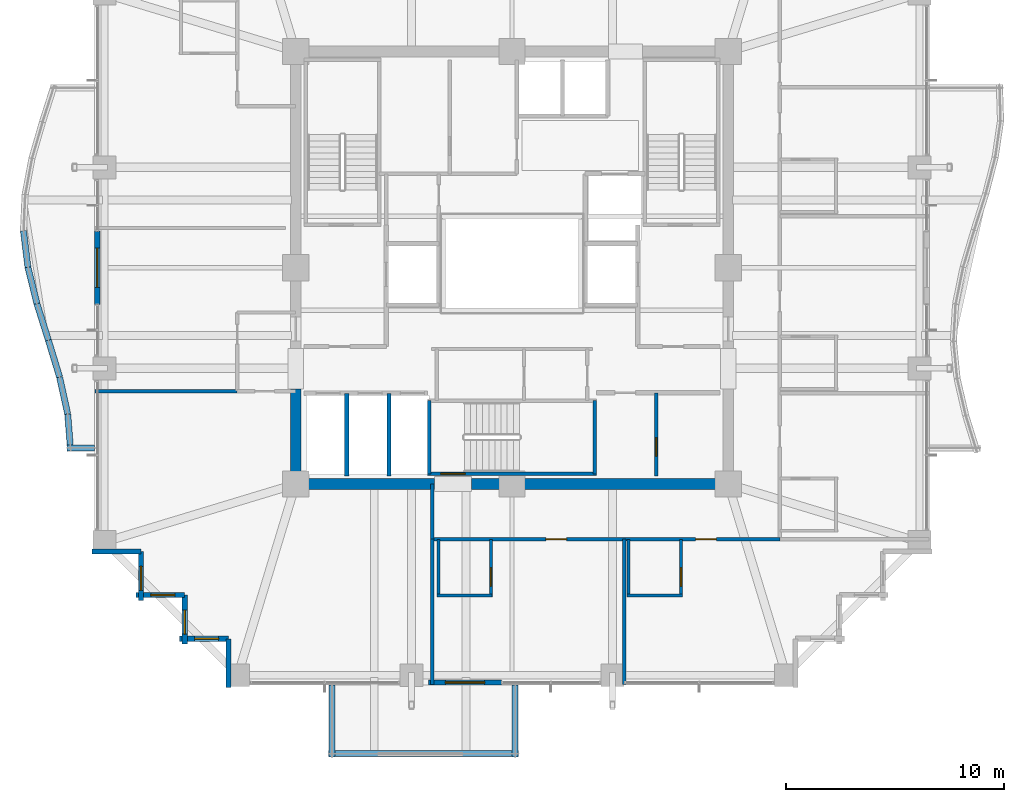
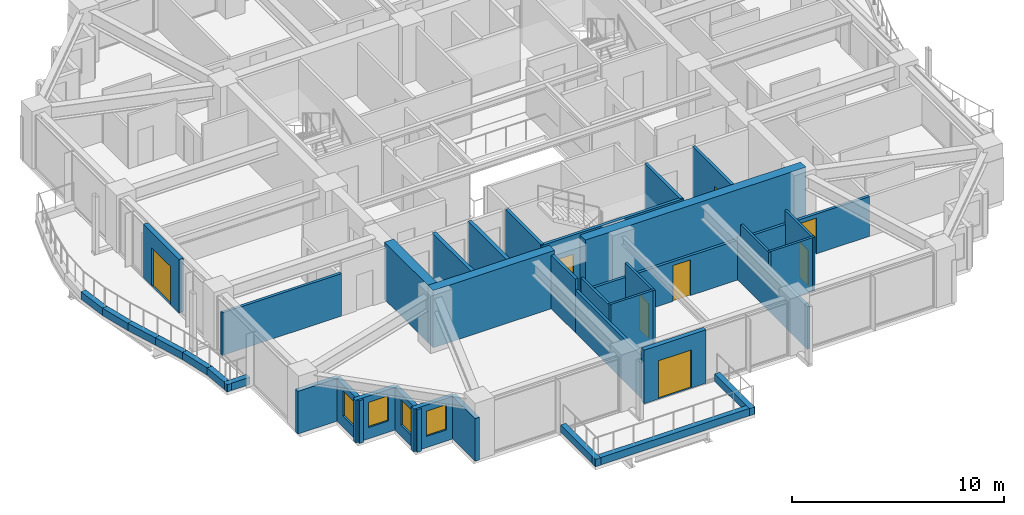
# One storey, part 31 of 38: 38 walls, 8 doors, 4 windows, 12 openings.
"""IFC4 building model written with IfcOpenShell, lengths in metres."""

from ifc_helpers import new_model, si_unit, direction, frame, frame_2d, origin, place, context, subcontext, project, spatial, rectangle, extrude, material, layer, layer_set, type_object, element, fill, save


model = new_model("IFC4")

# Units and contexts
model_context = context("Model", 3, precision=1e-05, world=origin(), true_north=direction((0.0, 1.0)))
body_context = subcontext(model_context, "Body", "Model", "MODEL_VIEW")
ifc_project = project(units=[si_unit("LENGTHUNIT", "METRE"), si_unit("AREAUNIT", "SQUARE_METRE"), si_unit("VOLUMEUNIT", "CUBIC_METRE"), si_unit("PLANEANGLEUNIT", "RADIAN"), si_unit("MASSUNIT", "GRAM", prefix="KILO")], contexts=[model_context])

# Site, building, storey
site_placement = place(None, origin())
site = spatial("IfcSite", under=ifc_project, at=site_placement, CompositionType="ELEMENT")
building_placement = place(site_placement, origin())
building = spatial("IfcBuilding", under=site, at=building_placement, Name="Kolvaren Belvedere", CompositionType="ELEMENT")
storey_placement = place(building_placement, frame((0.0, 0.0, 121.699951171875)))
storey = spatial("IfcBuildingStorey", under=building, at=storey_placement, Name="L35", CompositionType="ELEMENT", Elevation=121.699951171875)

# Walls
ifc_material_1 = material(Name="Concrete C50/60", Category="concrete")
ifc_layer_1 = layer(ifc_material_1, 0.5)
ifc_layer_set_1 = layer_set([ifc_layer_1], Name="Concrete C50/60")
wall_type_1 = type_object("IfcWallType", Name="CW-CORE-500", PredefinedType="SHEAR", material=ifc_layer_set_1)
wall_1_placement = place(storey_placement, frame((10.14990234375, -9.89990234375, 0.0), z_axis=(0.0, 0.0, 1.0), x_axis=(-1.0, 0.0, 0.0)))
element("IfcWall", 1, at=wall_1_placement, inside=storey, type_object=wall_type_1, Name="L35 South Core Shear Wall 1", PredefinedType="SHEAR", context=body_context, shape_type="SweptSolid", body=[
    extrude(rectangle(XDim=12.010009765625, YDim=0.5, at=frame_2d((6.0048828125, 0.0))), origin(), (0.0, 0.0, 1.0), 3.300048828125),
])
wall_2_placement = place(storey_placement, frame((-3.5400390625, -9.89990234375, 0.0), z_axis=(0.0, 0.0, 1.0), x_axis=(-1.0, 0.0, 0.0)))
element("IfcWall", 2, at=wall_2_placement, inside=storey, type_object=wall_type_1, Name="L35 South Core Shear Wall 2", PredefinedType="SHEAR", context=body_context, shape_type="SweptSolid", body=[
    extrude(rectangle(XDim=6.60986328125, YDim=0.5, at=frame_2d((3.304931640625, 0.0))), origin(), (0.0, 0.0, 1.0), 3.300048828125),
])
wall_3_placement = place(storey_placement, frame((-9.89990234375, -9.64990234375, 0.0), z_axis=(0.0, 0.0, 1.0), x_axis=(0.0, 1.0, 0.0)))
element("IfcWall", 3, at=wall_3_placement, inside=storey, type_object=wall_type_1, Name="L35 West Core Shear Wall 1", PredefinedType="SHEAR", context=body_context, shape_type="SweptSolid", body=[
    extrude(rectangle(XDim=4.099853515625, YDim=0.5, at=frame_2d((2.0498046875, 0.0))), origin(), (0.0, 0.0, 1.0), 3.300048828125),
])

# Wall, opening, door
ifc_material_2 = material(Name="Concrete C50/60", Category="concrete")
ifc_layer_2 = layer(ifc_material_2, 0.159912109375)
ifc_layer_set_2 = layer_set([ifc_layer_2], Name="Concrete C50/60")
wall_type_2 = type_object("IfcWallType", Name="CW-STAIR-160", PredefinedType="SHEAR", material=ifc_layer_set_2)
wall_4_placement = place(storey_placement, frame((3.860107421875, -9.429931640625, 0.0), z_axis=(0.0, 0.0, 1.0), x_axis=(-1.0, 0.0, 0.0)))
wall_4 = element("IfcWall", 4, at=wall_4_placement, inside=storey, type_object=wall_type_2, Name="L35 Stair ST-3 South Shear Wall", PredefinedType="SHEAR", context=body_context, shape_type="SweptSolid", body=[
    extrude(rectangle(XDim=7.72021484375, YDim=0.159912109375, at=frame_2d((3.860107421875, 0.0))), origin(), (0.0, 0.0, 1.0), 3.300048828125),
])
opening_1_placement = place(wall_4_placement, frame((6.010009765625, 0.0, 0.0)))
opening_1 = element("IfcOpeningElement", 5, at=opening_1_placement, cuts=wall_4, Name="Opening D-FD90", PredefinedType="OPENING", context=body_context, shape_type="SweptSolid", body=[
    extrude(rectangle(XDim=1.10009765625, YDim=2.199951171875, at=frame_2d((0.550048828125, 1.10009765625))), frame((0.0, 0.08984375, 0.0), z_axis=(0.0, -1.0, 0.0), x_axis=(1.0, 0.0, 0.0)), (0.0, 0.0, 1.0), 0.179931640625),
])
ifc_material_3 = material(Name="Painted hollow stainless steel", Category="steel")
door_type_1 = type_object("IfcDoorType", Name="DR-FD90-1100", OperationType="NOTDEFINED", PredefinedType="DOOR", material=ifc_material_3)
door_1_placement = place(opening_1_placement, origin())
door_1 = element("IfcDoor", 6, at=door_1_placement, inside=storey, type_object=door_type_1, Name="L35 Stair ST-3 Exit Door", OperationType="SINGLE_SWING_RIGHT", OverallHeight=2.199951171875, OverallWidth=1.10009765625, PredefinedType="DOOR", context=body_context, shape_type="SweptSolid", body=[
    extrude(rectangle(XDim=1.10009765625, YDim=2.199951171875, at=frame_2d((0.550048828125, 1.10009765625))), frame((0.0, 0.02490234375, 0.0), z_axis=(0.0, -1.0, 0.0), x_axis=(1.0, 0.0, 0.0)), (0.0, 0.0, 1.0), 0.050048828125),
])
fill(opening_1, door_1)

# Walls
for number, where, z_axis, x_axis, name in (
    (7, (-3.780029296875, -9.429931640625, 0.0), (0.0, 0.0, 1.0), (0.0, 1.0, 0.0), "L35 Stair ST-3 West Shear Wall"),
    (8, (3.780029296875, -9.429931640625, 0.0), (0.0, 0.0, 1.0), (0.0, 1.0, 0.0), "L35 Stair ST-3 East Shear Wall"),
):
    element("IfcWall", number, at=place(storey_placement, frame(where, z_axis=z_axis, x_axis=x_axis)), inside=storey, type_object=wall_type_2, Name=name, PredefinedType="SHEAR", context=body_context, shape_type="SweptSolid", body=[
        extrude(rectangle(XDim=3.349853515625, YDim=0.159912109375, at=frame_2d((1.6748046875, 0.0))), origin(), (0.0, 0.0, 1.0), 3.300048828125),
    ])

# Wall, openings, doors
ifc_material_4 = material(Name="Gypsum fire-rated partition assembly", Category="gypsum")
ifc_layer_3 = layer(ifc_material_4, 0.14990234375)
ifc_layer_set_3 = layer_set([ifc_layer_3], Name="Gypsum fire-rated partition assembly")
wall_type_3 = type_object("IfcWallType", Name="WL-CORR-150", PredefinedType="PARTITIONING", material=ifc_layer_set_3)
wall_5_placement = place(storey_placement, frame((-3.64990234375, -12.419921875, 0.0), z_axis=(0.0, 0.0, 1.0), x_axis=(1.0, 0.0, 0.0)))
wall_5 = element("IfcWall", 9, at=wall_5_placement, inside=storey, type_object=wall_type_3, Name="L35 South-East Corridor Wall", PredefinedType="PARTITIONING", context=body_context, shape_type="SweptSolid", body=[
    extrude(rectangle(XDim=15.909912109375, YDim=0.14990234375, at=frame_2d((7.955078125, 0.0))), origin(), (0.0, 0.0, 1.0), 2.2919921875),
])
opening_2_placement = place(wall_5_placement, frame((5.205078125, 0.0, 0.0)))
opening_2 = element("IfcOpeningElement", 10, at=opening_2_placement, cuts=wall_5, Name="Opening D-FD60", PredefinedType="OPENING", context=body_context, shape_type="SweptSolid", body=[
    extrude(rectangle(XDim=0.949951171875, YDim=2.06005859375, at=frame_2d((0.47509765625, 1.030029296875))), frame((0.0, 0.0849609375, 0.0), z_axis=(0.0, -1.0, 0.0), x_axis=(1.0, 0.0, 0.0)), (0.0, 0.0, 1.0), 0.169921875),
])
opening_3_placement = place(wall_5_placement, frame((12.052490234375, 0.0, 0.0)))
opening_3 = element("IfcOpeningElement", 11, at=opening_3_placement, cuts=wall_5, Name="Opening D-FD60", PredefinedType="OPENING", context=body_context, shape_type="SweptSolid", body=[
    extrude(rectangle(XDim=0.949951171875, YDim=2.06005859375, at=frame_2d((0.47509765625, 1.030029296875))), frame((0.0, 0.0849609375, 0.0), z_axis=(0.0, -1.0, 0.0), x_axis=(1.0, 0.0, 0.0)), (0.0, 0.0, 1.0), 0.169921875),
])
ifc_material_5 = material(Name="Acoustic white-oak fire door leaf", Category="timber")
door_type_2 = type_object("IfcDoorType", Name="DR-FD60-950", OperationType="NOTDEFINED", PredefinedType="DOOR", material=ifc_material_5)
door_2_placement = place(opening_2_placement, origin())
door_2 = element("IfcDoor", 12, at=door_2_placement, inside=storey, type_object=door_type_2, Name="L35 King Guest Room 3512 Entry Door", OperationType="SINGLE_SWING_RIGHT", OverallHeight=2.06005859375, OverallWidth=0.949951171875, PredefinedType="DOOR", context=body_context, shape_type="SweptSolid", body=[
    extrude(rectangle(XDim=0.949951171875, YDim=2.06005859375, at=frame_2d((0.47509765625, 1.030029296875))), frame((0.0, 0.02490234375, 0.0), z_axis=(0.0, -1.0, 0.0), x_axis=(1.0, 0.0, 0.0)), (0.0, 0.0, 1.0), 0.050048828125),
])
fill(opening_2, door_2)
door_3_placement = place(opening_3_placement, origin())
door_3 = element("IfcDoor", 13, at=door_3_placement, inside=storey, type_object=door_type_2, Name="L35 Botanical Hospitality Suite 3513 Entry Door", OperationType="SINGLE_SWING_RIGHT", OverallHeight=2.06005859375, OverallWidth=0.949951171875, PredefinedType="DOOR", context=body_context, shape_type="SweptSolid", body=[
    extrude(rectangle(XDim=0.949951171875, YDim=2.06005859375, at=frame_2d((0.47509765625, 1.030029296875))), frame((0.0, 0.02490234375, 0.0), z_axis=(0.0, -1.0, 0.0), x_axis=(1.0, 0.0, 0.0)), (0.0, 0.0, 1.0), 0.050048828125),
])
fill(opening_3, door_3)

# Wall
wall_6_placement = place(storey_placement, frame((-3.64990234375, -12.419921875, 0.0), z_axis=(0.0, 0.0, 1.0), x_axis=(0.0, 1.0, 0.0)))
element("IfcWall", 14, at=wall_6_placement, inside=storey, type_object=wall_type_3, Name="L35 South Spur West Closure Wall", PredefinedType="PARTITIONING", context=body_context, shape_type="SweptSolid", body=[
    extrude(rectangle(XDim=2.52001953125, YDim=0.14990234375, at=frame_2d((1.260009765625, 0.0))), origin(), (0.0, 0.0, 1.0), 3.080078125),
])

# Wall, opening, door
ifc_material_6 = material(Name="Insulated pale-metal facade wall assembly", Category="aluminium")
ifc_layer_4 = layer(ifc_material_6, 0.239990234375)
ifc_layer_set_4 = layer_set([ifc_layer_4], Name="Insulated pale-metal facade wall assembly")
wall_type_4 = type_object("IfcWallType", Name="WL-EXT-240", PredefinedType="STANDARD", material=ifc_layer_set_4)
wall_7_placement = place(storey_placement, frame((-0.469970703125, -18.97998046875, 0.0), z_axis=(0.0, 0.0, 1.0), x_axis=(-1.0, 0.0, 0.0)))
wall_7 = element("IfcWall", 15, at=wall_7_placement, inside=storey, type_object=wall_type_4, Name="L35 South Terrace Portal Wall", PredefinedType="STANDARD", context=body_context, shape_type="SweptSolid", body=[
    extrude(rectangle(XDim=3.360107421875, YDim=0.239990234375, at=frame_2d((1.68017578125, 0.0))), origin(), (0.0, 0.0, 1.0), 3.080078125),
])
opening_4_placement = place(wall_7_placement, frame((0.780029296875, 0.0, 0.0)))
opening_4 = element("IfcOpeningElement", 16, at=opening_4_placement, cuts=wall_7, Name="Opening DB-1800", PredefinedType="OPENING", context=body_context, shape_type="SweptSolid", body=[
    extrude(rectangle(XDim=1.800048828125, YDim=2.199951171875, at=frame_2d((0.89990234375, 1.10009765625))), frame((0.0, 0.1298828125, 0.0), z_axis=(0.0, -1.0, 0.0), x_axis=(1.0, 0.0, 0.0)), (0.0, 0.0, 1.0), 0.260009765625),
])
ifc_material_7 = material(Name="Thermally broken pale-metal aluminium & low-iron glass", Category="aluminium")
door_type_3 = type_object("IfcDoorType", Name="DR-BAL-1800", OperationType="DOUBLE_DOOR_SLIDING", PredefinedType="DOOR", material=ifc_material_7)
door_4_placement = place(opening_4_placement, origin())
door_4 = element("IfcDoor", 17, at=door_4_placement, inside=storey, type_object=door_type_3, Name="L35 South Planted Terrace Sliding Door", OperationType="DOUBLE_DOOR_SLIDING", OverallHeight=2.199951171875, OverallWidth=1.800048828125, PredefinedType="DOOR", context=body_context, shape_type="SweptSolid", body=[
    extrude(rectangle(XDim=1.800048828125, YDim=2.199951171875, at=frame_2d((0.89990234375, 1.10009765625))), frame((0.0, 0.02490234375, 0.0), z_axis=(0.0, -1.0, 0.0), x_axis=(1.0, 0.0, 0.0)), (0.0, 0.0, 1.0), 0.050048828125),
])
fill(opening_4, door_4)

wall_8_placement = place(storey_placement, frame((-18.97998046875, -1.679931640625, 0.0), z_axis=(0.0, 0.0, 1.0), x_axis=(0.0, 1.0, 0.0)))
wall_8 = element("IfcWall", 18, at=wall_8_placement, inside=storey, type_object=wall_type_4, Name="L35 West Terrace Portal Wall", PredefinedType="STANDARD", context=body_context, shape_type="SweptSolid", body=[
    extrude(rectangle(XDim=3.35986328125, YDim=0.239990234375, at=frame_2d((1.679931640625, 0.0))), origin(), (0.0, 0.0, 1.0), 3.080078125),
])
opening_5_placement = place(wall_8_placement, frame((0.780029296875, 0.0, 0.0)))
opening_5 = element("IfcOpeningElement", 19, at=opening_5_placement, cuts=wall_8, Name="Opening DB-1800", PredefinedType="OPENING", context=body_context, shape_type="SweptSolid", body=[
    extrude(rectangle(XDim=1.800048828125, YDim=2.199951171875, at=frame_2d((0.89990234375, 1.10009765625))), frame((0.0, 0.1298828125, 0.0), z_axis=(0.0, -1.0, 0.0), x_axis=(1.0, 0.0, 0.0)), (0.0, 0.0, 1.0), 0.260009765625),
])
door_5_placement = place(opening_5_placement, origin())
door_5 = element("IfcDoor", 20, at=door_5_placement, inside=storey, type_object=door_type_3, Name="L35 West Planted Terrace Sliding Door", OperationType="DOUBLE_DOOR_SLIDING", OverallHeight=2.199951171875, OverallWidth=1.800048828125, PredefinedType="DOOR", context=body_context, shape_type="SweptSolid", body=[
    extrude(rectangle(XDim=1.800048828125, YDim=2.199951171875, at=frame_2d((0.89990234375, 1.10009765625))), frame((0.0, 0.02490234375, 0.0), z_axis=(0.0, -1.0, 0.0), x_axis=(1.0, 0.0, 0.0)), (0.0, 0.0, 1.0), 0.050048828125),
])
fill(opening_5, door_5)

# Wall
wall_9_placement = place(storey_placement, frame((-16.97998046875, -12.97998046875, 0.0), z_axis=(0.0, 0.0, 1.0), x_axis=(-1.0, 0.0, 0.0)))
element("IfcWall", 21, at=wall_9_placement, inside=storey, type_object=wall_type_4, Name="L35 Serrated Corner Facade Wall 23", PredefinedType="STANDARD", context=body_context, shape_type="SweptSolid", body=[
    extrude(rectangle(XDim=2.239990234375, YDim=0.239990234375, at=frame_2d((1.1201171875, 0.0))), origin(), (0.0, 0.0, 1.0), 2.458984375),
])

# Wall, opening, window
wall_10_placement = place(storey_placement, frame((-16.97998046875, -15.219970703125, 0.0), z_axis=(0.0, 0.0, 1.0), x_axis=(0.0, 1.0, 0.0)))
wall_10 = element("IfcWall", 22, at=wall_10_placement, inside=storey, type_object=wall_type_4, Name="L35 Serrated Corner Facade Wall 24", PredefinedType="STANDARD", context=body_context, shape_type="SweptSolid", body=[
    extrude(rectangle(XDim=2.239990234375, YDim=0.239990234375, at=frame_2d((1.1201171875, 0.0))), origin(), (0.0, 0.0, 1.0), 2.458984375),
])
opening_6_placement = place(wall_10_placement, frame((0.449951171875, 0.0, 0.64990234375)))
opening_6 = element("IfcOpeningElement", 23, at=opening_6_placement, cuts=wall_10, Name="Opening W-1100", PredefinedType="OPENING", context=body_context, shape_type="SweptSolid", body=[
    extrude(rectangle(XDim=1.10009765625, YDim=1.449951171875, at=frame_2d((0.550048828125, 0.72509765625))), frame((0.0, 0.1298828125, 0.0), z_axis=(0.0, -1.0, 0.0), x_axis=(1.0, 0.0, 0.0)), (0.0, 0.0, 1.0), 0.260009765625),
])
ifc_material_8 = material(Name="Low-iron triple insulated glass", Category="glass")
window_type = type_object("IfcWindowType", Name="WN-CORN-1100", PartitioningType="SINGLE_PANEL", PredefinedType="WINDOW", material=ifc_material_8)
window_1_placement = place(opening_6_placement, origin())
window_1 = element("IfcWindow", 24, at=window_1_placement, inside=storey, type_object=window_type, Name="L35 Serrated Corner Vision Window 24", OverallHeight=1.449951171875, OverallWidth=1.10009765625, PartitioningType="SINGLE_PANEL", PredefinedType="WINDOW", context=body_context, shape_type="SweptSolid", body=[
    extrude(rectangle(XDim=1.10009765625, YDim=1.449951171875, at=frame_2d((0.550048828125, 0.72509765625))), frame((0.0, 0.030029296875, 0.0), z_axis=(0.0, -1.0, 0.0), x_axis=(1.0, 0.0, 0.0)), (0.0, 0.0, 1.0), 0.06005859375),
])
fill(opening_6, window_1)

wall_11_placement = place(storey_placement, frame((-14.97998046875, -14.97998046875, 0.0), z_axis=(0.0, 0.0, 1.0), x_axis=(-1.0, 0.0, 0.0)))
wall_11 = element("IfcWall", 25, at=wall_11_placement, inside=storey, type_object=wall_type_4, Name="L35 Serrated Corner Facade Wall 25", PredefinedType="STANDARD", context=body_context, shape_type="SweptSolid", body=[
    extrude(rectangle(XDim=2.239990234375, YDim=0.239990234375, at=frame_2d((1.1201171875, 0.0))), origin(), (0.0, 0.0, 1.0), 2.458984375),
])
opening_7_placement = place(wall_11_placement, frame((0.449951171875, 0.0, 0.64990234375)))
opening_7 = element("IfcOpeningElement", 26, at=opening_7_placement, cuts=wall_11, Name="Opening W-1100", PredefinedType="OPENING", context=body_context, shape_type="SweptSolid", body=[
    extrude(rectangle(XDim=1.10009765625, YDim=1.449951171875, at=frame_2d((0.550048828125, 0.72509765625))), frame((0.0, 0.1298828125, 0.0), z_axis=(0.0, -1.0, 0.0), x_axis=(1.0, 0.0, 0.0)), (0.0, 0.0, 1.0), 0.260009765625),
])
window_2_placement = place(opening_7_placement, origin())
window_2 = element("IfcWindow", 27, at=window_2_placement, inside=storey, type_object=window_type, Name="L35 Serrated Corner Vision Window 25", OverallHeight=1.449951171875, OverallWidth=1.10009765625, PartitioningType="SINGLE_PANEL", PredefinedType="WINDOW", context=body_context, shape_type="SweptSolid", body=[
    extrude(rectangle(XDim=1.10009765625, YDim=1.449951171875, at=frame_2d((0.550048828125, 0.72509765625))), frame((0.0, 0.030029296875, 0.0), z_axis=(0.0, -1.0, 0.0), x_axis=(1.0, 0.0, 0.0)), (0.0, 0.0, 1.0), 0.06005859375),
])
fill(opening_7, window_2)

wall_12_placement = place(storey_placement, frame((-14.97998046875, -17.219970703125, 0.0), z_axis=(0.0, 0.0, 1.0), x_axis=(0.0, 1.0, 0.0)))
wall_12 = element("IfcWall", 28, at=wall_12_placement, inside=storey, type_object=wall_type_4, Name="L35 Serrated Corner Facade Wall 26", PredefinedType="STANDARD", context=body_context, shape_type="SweptSolid", body=[
    extrude(rectangle(XDim=2.239990234375, YDim=0.239990234375, at=frame_2d((1.1201171875, 0.0))), origin(), (0.0, 0.0, 1.0), 2.458984375),
])
opening_8_placement = place(wall_12_placement, frame((0.449951171875, 0.0, 0.64990234375)))
opening_8 = element("IfcOpeningElement", 29, at=opening_8_placement, cuts=wall_12, Name="Opening W-1100", PredefinedType="OPENING", context=body_context, shape_type="SweptSolid", body=[
    extrude(rectangle(XDim=1.10009765625, YDim=1.449951171875, at=frame_2d((0.550048828125, 0.72509765625))), frame((0.0, 0.1298828125, 0.0), z_axis=(0.0, -1.0, 0.0), x_axis=(1.0, 0.0, 0.0)), (0.0, 0.0, 1.0), 0.260009765625),
])
window_3_placement = place(opening_8_placement, origin())
window_3 = element("IfcWindow", 30, at=window_3_placement, inside=storey, type_object=window_type, Name="L35 Serrated Corner Vision Window 26", OverallHeight=1.449951171875, OverallWidth=1.10009765625, PartitioningType="SINGLE_PANEL", PredefinedType="WINDOW", context=body_context, shape_type="SweptSolid", body=[
    extrude(rectangle(XDim=1.10009765625, YDim=1.449951171875, at=frame_2d((0.550048828125, 0.72509765625))), frame((0.0, 0.030029296875, 0.0), z_axis=(0.0, -1.0, 0.0), x_axis=(1.0, 0.0, 0.0)), (0.0, 0.0, 1.0), 0.06005859375),
])
fill(opening_8, window_3)

wall_13_placement = place(storey_placement, frame((-12.97998046875, -16.97998046875, 0.0), z_axis=(0.0, 0.0, 1.0), x_axis=(-1.0, 0.0, 0.0)))
wall_13 = element("IfcWall", 31, at=wall_13_placement, inside=storey, type_object=wall_type_4, Name="L35 Serrated Corner Facade Wall 27", PredefinedType="STANDARD", context=body_context, shape_type="SweptSolid", body=[
    extrude(rectangle(XDim=2.239990234375, YDim=0.239990234375, at=frame_2d((1.1201171875, 0.0))), origin(), (0.0, 0.0, 1.0), 2.458984375),
])
opening_9_placement = place(wall_13_placement, frame((0.449951171875, 0.0, 0.64990234375)))
opening_9 = element("IfcOpeningElement", 32, at=opening_9_placement, cuts=wall_13, Name="Opening W-1100", PredefinedType="OPENING", context=body_context, shape_type="SweptSolid", body=[
    extrude(rectangle(XDim=1.10009765625, YDim=1.449951171875, at=frame_2d((0.550048828125, 0.72509765625))), frame((0.0, 0.1298828125, 0.0), z_axis=(0.0, -1.0, 0.0), x_axis=(1.0, 0.0, 0.0)), (0.0, 0.0, 1.0), 0.260009765625),
])
window_4_placement = place(opening_9_placement, origin())
window_4 = element("IfcWindow", 33, at=window_4_placement, inside=storey, type_object=window_type, Name="L35 Serrated Corner Vision Window 27", OverallHeight=1.449951171875, OverallWidth=1.10009765625, PartitioningType="SINGLE_PANEL", PredefinedType="WINDOW", context=body_context, shape_type="SweptSolid", body=[
    extrude(rectangle(XDim=1.10009765625, YDim=1.449951171875, at=frame_2d((0.550048828125, 0.72509765625))), frame((0.0, 0.030029296875, 0.0), z_axis=(0.0, -1.0, 0.0), x_axis=(1.0, 0.0, 0.0)), (0.0, 0.0, 1.0), 0.06005859375),
])
fill(opening_9, window_4)

# Wall
wall_14_placement = place(storey_placement, frame((-12.97998046875, -19.219970703125, 0.0), z_axis=(0.0, 0.0, 1.0), x_axis=(0.0, 1.0, 0.0)))
element("IfcWall", 34, at=wall_14_placement, inside=storey, type_object=wall_type_4, Name="L35 Serrated Corner Facade Wall 28", PredefinedType="STANDARD", context=body_context, shape_type="SweptSolid", body=[
    extrude(rectangle(XDim=2.239990234375, YDim=0.239990234375, at=frame_2d((1.1201171875, 0.0))), origin(), (0.0, 0.0, 1.0), 2.458984375),
])

# Wall, opening, door
ifc_material_9 = material(Name="Gypsum acoustic partition assembly", Category="gypsum")
ifc_layer_5 = layer(ifc_material_9, 0.14990234375)
ifc_layer_set_5 = layer_set([ifc_layer_5], Name="Gypsum acoustic partition assembly")
wall_type_5 = type_object("IfcWallType", Name="WL-PART-150", PredefinedType="PARTITIONING", material=ifc_layer_set_5)
wall_15_placement = place(storey_placement, frame((6.60009765625, -9.52001953125, 0.0), z_axis=(0.0, 0.0, 1.0), x_axis=(0.0, 1.0, 0.0)))
wall_15 = element("IfcWall", 35, at=wall_15_placement, inside=storey, type_object=wall_type_5, Name="L35 SE Core Divider", PredefinedType="PARTITIONING", context=body_context, shape_type="SweptSolid", body=[
    extrude(rectangle(XDim=3.800048828125, YDim=0.14990234375, at=frame_2d((1.89990234375, 0.0))), origin(), (0.0, 0.0, 1.0), 3.080078125),
])
opening_10_placement = place(wall_15_placement, frame((0.89990234375, 0.0, 0.0)))
opening_10 = element("IfcOpeningElement", 36, at=opening_10_placement, cuts=wall_15, Name="Opening D-INT85", PredefinedType="OPENING", context=body_context, shape_type="SweptSolid", body=[
    extrude(rectangle(XDim=0.85009765625, YDim=2.030029296875, at=frame_2d((0.425048828125, 1.01513671875))), frame((0.0, 0.0849609375, 0.0), z_axis=(0.0, -1.0, 0.0), x_axis=(1.0, 0.0, 0.0)), (0.0, 0.0, 1.0), 0.169921875),
])
ifc_material_10 = material(Name="Stained Pacific white oak", Category="timber")
door_type_4 = type_object("IfcDoorType", Name="DR-INT-850", OperationType="NOTDEFINED", PredefinedType="DOOR", material=ifc_material_10)
door_6_placement = place(opening_10_placement, origin())
door_6 = element("IfcDoor", 37, at=door_6_placement, inside=storey, type_object=door_type_4, Name="L35 SE Switchboard Door", OperationType="SINGLE_SWING_LEFT", OverallHeight=2.030029296875, OverallWidth=0.85009765625, PredefinedType="DOOR", context=body_context, shape_type="SweptSolid", body=[
    extrude(rectangle(XDim=0.85009765625, YDim=2.030029296875, at=frame_2d((0.425048828125, 1.01513671875))), frame((0.0, 0.02490234375, 0.0), z_axis=(0.0, -1.0, 0.0), x_axis=(1.0, 0.0, 0.0)), (0.0, 0.0, 1.0), 0.050048828125),
])
fill(opening_10, door_6)

# Walls
wall_16_placement = place(storey_placement, frame((-19.080078125, -5.64990234375, 0.0), z_axis=(0.0, 0.0, 1.0), x_axis=(1.0, 0.0, 0.0)))
element("IfcWall", 38, at=wall_16_placement, inside=storey, type_object=wall_type_5, Name="L35 West Mid Suite South Wall", PredefinedType="PARTITIONING", context=body_context, shape_type="SweptSolid", body=[
    extrude(rectangle(XDim=6.5, YDim=0.14990234375, at=frame_2d((3.25, 0.0))), origin(), (0.0, 0.0, 1.0), 2.448974609375),
])
for number, where, z_axis, x_axis, name in (
    (39, (-3.64990234375, -19.080078125, 0.0), (0.0, 0.0, 1.0), (0.0, 1.0, 0.0), "L35 South Mid-West Wall"),
    (40, (5.139892578125, -19.080078125, 0.0), (0.0, 0.0, 1.0), (0.0, 1.0, 0.0), "L35 South-East Suite Divider 1"),
):
    element("IfcWall", number, at=place(storey_placement, frame(where, z_axis=z_axis, x_axis=x_axis)), inside=storey, type_object=wall_type_5, Name=name, PredefinedType="PARTITIONING", context=body_context, shape_type="SweptSolid", body=[
        extrude(rectangle(XDim=6.66015625, YDim=0.14990234375, at=frame_2d((3.330078125, 0.0))), origin(), (0.0, 0.0, 1.0), 2.448974609375),
    ])
ifc_material_11 = material(Name="Precast concrete C40/50", Category="concrete")
ifc_layer_6 = layer(ifc_material_11, 0.300048828125)
ifc_layer_set_6 = layer_set([ifc_layer_6], Name="Precast concrete C40/50")
wall_type_6 = type_object("IfcWallType", Name="WL-PLANTER-300", PredefinedType="PARAPET", material=ifc_layer_set_6)
wall_17_placement = place(storey_placement, frame((-8.39990234375, -22.239990234375, -0.0400390625), z_axis=(0.0, 0.0, 1.0), x_axis=(1.0, 0.0, 0.0)))
element("IfcWall", 41, at=wall_17_placement, inside=storey, type_object=wall_type_6, Name="L35 Precast Structural Planter Wall SPIRAL-05-S-1", PredefinedType="PARAPET", context=body_context, shape_type="SweptSolid", body=[
    extrude(rectangle(XDim=8.699951171875, YDim=0.280029296875, at=frame_2d((4.35009765625, 0.0))), origin(), (0.0, 0.0, 1.0), 0.420166015625),
])
for number, where, z_axis, x_axis, name in (
    (42, (0.139892578125, -22.39990234375, -0.0400390625), (0.0, 0.0, 1.0), (0.0, 1.0, 0.0), "L35 Precast Structural Planter Wall SPIRAL-05-S-2"),
    (43, (-8.239990234375, -19.10009765625, -0.0400390625), (0.0, 0.0, 1.0), (0.0, -1.0, 0.0), "L35 Precast Structural Planter Wall SPIRAL-05-S-4"),
):
    element("IfcWall", number, at=place(storey_placement, frame(where, z_axis=z_axis, x_axis=x_axis)), inside=storey, type_object=wall_type_6, Name=name, PredefinedType="PARAPET", context=body_context, shape_type="SweptSolid", body=[
        extrude(rectangle(XDim=3.2998046875, YDim=0.280029296875, at=frame_2d((1.64990234375, 0.0))), origin(), (0.0, 0.0, 1.0), 0.420166015625),
    ])
wall_18_placement = place(storey_placement, frame((-22.361083984375, 1.699462890625, -0.0400390625), z_axis=(0.0, 0.0, 1.0), x_axis=(0.121886315522, -0.99254406758, 0.0)))
element("IfcWall", 44, at=wall_18_placement, inside=storey, type_object=wall_type_6, Name="L35 Precast Structural Planter Wall BAL-W-5", PredefinedType="PARAPET", context=body_context, shape_type="SweptSolid", body=[
    extrude(rectangle(XDim=1.692626953125, YDim=0.280029296875, at=frame_2d((0.84619140625, 0.0))), origin(), (0.0, 0.0, 1.0), 0.420166015625),
])
wall_19_placement = place(storey_placement, frame((-22.158203125, 0.038330078125, -0.0400390625), z_axis=(0.0, 0.0, 1.0), x_axis=(0.239180748277, -0.970975061293, 0.0)))
element("IfcWall", 45, at=wall_19_placement, inside=storey, type_object=wall_type_6, Name="L35 Precast Structural Planter Wall BAL-W-6", PredefinedType="PARAPET", context=body_context, shape_type="SweptSolid", body=[
    extrude(rectangle(XDim=1.730224609375, YDim=0.280029296875, at=frame_2d((0.865234375, 0.0))), origin(), (0.0, 0.0, 1.0), 0.420166015625),
])
wall_20_placement = place(storey_placement, frame((-21.747314453125, -1.632080078125, -0.0400390625), z_axis=(0.0, 0.0, 1.0), x_axis=(0.299750886874, -0.95401750813, 0.0)))
element("IfcWall", 46, at=wall_20_placement, inside=storey, type_object=wall_type_6, Name="L35 Precast Structural Planter Wall BAL-W-7", PredefinedType="PARAPET", context=body_context, shape_type="SweptSolid", body=[
    extrude(rectangle(XDim=1.760986328125, YDim=0.280029296875, at=frame_2d((0.88037109375, 0.0))), origin(), (0.0, 0.0, 1.0), 0.420166015625),
])
wall_21_placement = place(storey_placement, frame((-21.218994140625, -3.3134765625, -0.0400390625), z_axis=(0.0, 0.0, 1.0), x_axis=(0.290879426191, -0.956759718748, 0.0)))
element("IfcWall", 47, at=wall_21_placement, inside=storey, type_object=wall_type_6, Name="L35 Precast Structural Planter Wall BAL-W-8", PredefinedType="PARAPET", context=body_context, shape_type="SweptSolid", body=[
    extrude(rectangle(XDim=1.755859375, YDim=0.280029296875, at=frame_2d((0.8779296875, 0.0))), origin(), (0.0, 0.0, 1.0), 0.420166015625),
])
wall_22_placement = place(storey_placement, frame((-20.705078125, -5.005859375, -0.0400390625), z_axis=(0.0, 0.0, 1.0), x_axis=(0.213802724545, -0.976876857632, 0.0)))
element("IfcWall", 48, at=wall_22_placement, inside=storey, type_object=wall_type_6, Name="L35 Precast Structural Planter Wall BAL-W-9", PredefinedType="PARAPET", context=body_context, shape_type="SweptSolid", body=[
    extrude(rectangle(XDim=1.7197265625, YDim=0.280029296875, at=frame_2d((0.85986328125, 0.0))), origin(), (0.0, 0.0, 1.0), 0.420166015625),
])
wall_23_placement = place(storey_placement, frame((-20.333984375, -6.707275390625, -0.0400390625), z_axis=(0.0, 0.0, 1.0), x_axis=(0.079244268248, -0.99685522818, 0.0)))
element("IfcWall", 49, at=wall_23_placement, inside=storey, type_object=wall_type_6, Name="L35 Precast Structural Planter Wall BAL-W-10", PredefinedType="PARAPET", context=body_context, shape_type="SweptSolid", body=[
    extrude(rectangle(XDim=1.685302734375, YDim=0.280029296875, at=frame_2d((0.8427734375, 0.0))), origin(), (0.0, 0.0, 1.0), 0.420166015625),
])
wall_24_placement = place(storey_placement, frame((-20.360107421875, -8.239990234375, -0.0400390625), z_axis=(0.0, 0.0, 1.0), x_axis=(1.0, 0.0, 0.0)))
element("IfcWall", 50, at=wall_24_placement, inside=storey, type_object=wall_type_6, Name="L35 Precast Structural Planter Wall BAL-W-11", PredefinedType="PARAPET", context=body_context, shape_type="SweptSolid", body=[
    extrude(rectangle(XDim=1.260009765625, YDim=0.280029296875, at=frame_2d((0.6298828125, 0.0))), origin(), (0.0, 0.0, 1.0), 0.420166015625),
])
ifc_material_12 = material(Name="Concrete C50/60", Category="concrete")
ifc_layer_7 = layer(ifc_material_12, 0.199951171875)
ifc_layer_set_7 = layer_set([ifc_layer_7], Name="Concrete C50/60")
wall_type_7 = type_object("IfcWallType", Name="WL-SHAFT-200", PredefinedType="SOLIDWALL", material=ifc_layer_set_7)
for number, where, z_axis, x_axis, name in (
    (51, (-7.56005859375, -9.52001953125, 0.0), (0.0, 0.0, 1.0), (0.0, 1.0, 0.0), "L35 Mid-Rise Hoistway Divider 1"),
    (52, (-5.6298828125, -9.52001953125, 0.0), (0.0, 0.0, 1.0), (0.0, 1.0, 0.0), "L35 Mid-Rise Hoistway Divider 2"),
):
    element("IfcWall", number, at=place(storey_placement, frame(where, z_axis=z_axis, x_axis=x_axis)), inside=storey, type_object=wall_type_7, Name=name, PredefinedType="SOLIDWALL", context=body_context, shape_type="SweptSolid", body=[
        extrude(rectangle(XDim=3.77001953125, YDim=0.199951171875, at=frame_2d((1.885009765625, 0.0))), origin(), (0.0, 0.0, 1.0), 3.080078125),
    ])

# Wall, opening, door
ifc_material_13 = material(Name="Moisture-resistant gypsum partition", Category="gypsum")
ifc_layer_8 = layer(ifc_material_13, 0.125)
ifc_layer_set_8 = layer_set([ifc_layer_8], Name="Moisture-resistant gypsum partition")
wall_type_8 = type_object("IfcWallType", Name="WL-WET-125", PredefinedType="PARTITIONING", material=ifc_layer_set_8)
wall_25_placement = place(storey_placement, frame((-0.964111328125, -15.074951171875, 0.0), z_axis=(0.0, 0.0, 1.0), x_axis=(0.0, 1.0, 0.0)))
wall_25 = element("IfcWall", 53, at=wall_25_placement, inside=storey, type_object=wall_type_8, Name="L35 Bathroom Partition PW-L35-BTH-12-E", PredefinedType="PARTITIONING", context=body_context, shape_type="SweptSolid", body=[
    extrude(rectangle(XDim=2.639892578125, YDim=0.125, at=frame_2d((1.31982421875, 0.0))), origin(), (0.0, 0.0, 1.0), 3.080078125),
])
opening_11_placement = place(wall_25_placement, frame((0.5, 0.0, 0.0)))
opening_11 = element("IfcOpeningElement", 54, at=opening_11_placement, cuts=wall_25, Name="Opening D-BTH85", PredefinedType="OPENING", context=body_context, shape_type="SweptSolid", body=[
    extrude(rectangle(XDim=0.85009765625, YDim=2.030029296875, at=frame_2d((0.425048828125, 1.01513671875))), frame((0.0, 0.072509765625, 0.0), z_axis=(0.0, -1.0, 0.0), x_axis=(1.0, 0.0, 0.0)), (0.0, 0.0, 1.0), 0.14501953125),
])
ifc_material_14 = material(Name="Moisture-sealed Pacific white oak", Category="timber")
door_type_5 = type_object("IfcDoorType", Name="DR-BATH-850", OperationType="NOTDEFINED", PredefinedType="DOOR", material=ifc_material_14)
door_7_placement = place(opening_11_placement, origin())
door_7 = element("IfcDoor", 55, at=door_7_placement, inside=storey, type_object=door_type_5, Name="L35 En-Suite Bathroom 3512 Door", OperationType="SINGLE_SWING_LEFT", OverallHeight=2.030029296875, OverallWidth=0.85009765625, PredefinedType="DOOR", context=body_context, shape_type="SweptSolid", body=[
    extrude(rectangle(XDim=0.85009765625, YDim=2.030029296875, at=frame_2d((0.425048828125, 1.01513671875))), frame((0.0, 0.02490234375, 0.0), z_axis=(0.0, -1.0, 0.0), x_axis=(1.0, 0.0, 0.0)), (0.0, 0.0, 1.0), 0.050048828125),
])
fill(opening_11, door_7)

# Walls
wall_26_placement = place(storey_placement, frame((-3.424072265625, -14.9951171875, 0.0), z_axis=(0.0, 0.0, 1.0), x_axis=(1.0, 0.0, 0.0)))
element("IfcWall", 56, at=wall_26_placement, inside=storey, type_object=wall_type_8, Name="L35 Bathroom Partition PW-L35-BTH-12-H", PredefinedType="PARTITIONING", context=body_context, shape_type="SweptSolid", body=[
    extrude(rectangle(XDim=2.52001953125, YDim=0.125, at=frame_2d((1.260009765625, 0.0))), origin(), (0.0, 0.0, 1.0), 3.080078125),
])
wall_27_placement = place(storey_placement, frame((-3.364013671875, -15.074951171875, 0.0), z_axis=(0.0, 0.0, 1.0), x_axis=(0.0, 1.0, 0.0)))
element("IfcWall", 57, at=wall_27_placement, inside=storey, type_object=wall_type_8, Name="L35 Bathroom Partition PW-L35-BTH-12-W", PredefinedType="PARTITIONING", context=body_context, shape_type="SweptSolid", body=[
    extrude(rectangle(XDim=2.639892578125, YDim=0.125, at=frame_2d((1.31982421875, 0.0))), origin(), (0.0, 0.0, 1.0), 3.080078125),
])

# Wall, opening, door
wall_28_placement = place(storey_placement, frame((7.735107421875, -15.074951171875, 0.0), z_axis=(0.0, 0.0, 1.0), x_axis=(0.0, 1.0, 0.0)))
wall_28 = element("IfcWall", 58, at=wall_28_placement, inside=storey, type_object=wall_type_8, Name="L35 Bathroom Partition PW-L35-BTH-13-E", PredefinedType="PARTITIONING", context=body_context, shape_type="SweptSolid", body=[
    extrude(rectangle(XDim=2.639892578125, YDim=0.125, at=frame_2d((1.31982421875, 0.0))), origin(), (0.0, 0.0, 1.0), 3.080078125),
])
opening_12_placement = place(wall_28_placement, frame((0.5, 0.0, 0.0)))
opening_12 = element("IfcOpeningElement", 59, at=opening_12_placement, cuts=wall_28, Name="Opening D-BTH85", PredefinedType="OPENING", context=body_context, shape_type="SweptSolid", body=[
    extrude(rectangle(XDim=0.85009765625, YDim=2.030029296875, at=frame_2d((0.425048828125, 1.01513671875))), frame((0.0, 0.072509765625, 0.0), z_axis=(0.0, -1.0, 0.0), x_axis=(1.0, 0.0, 0.0)), (0.0, 0.0, 1.0), 0.14501953125),
])
door_8_placement = place(opening_12_placement, origin())
door_8 = element("IfcDoor", 60, at=door_8_placement, inside=storey, type_object=door_type_5, Name="L35 En-Suite Bathroom 3513 Door", OperationType="SINGLE_SWING_LEFT", OverallHeight=2.030029296875, OverallWidth=0.85009765625, PredefinedType="DOOR", context=body_context, shape_type="SweptSolid", body=[
    extrude(rectangle(XDim=0.85009765625, YDim=2.030029296875, at=frame_2d((0.425048828125, 1.01513671875))), frame((0.0, 0.02490234375, 0.0), z_axis=(0.0, -1.0, 0.0), x_axis=(1.0, 0.0, 0.0)), (0.0, 0.0, 1.0), 0.050048828125),
])
fill(opening_12, door_8)

# Walls
wall_29_placement = place(storey_placement, frame((5.27490234375, -14.9951171875, 0.0), z_axis=(0.0, 0.0, 1.0), x_axis=(1.0, 0.0, 0.0)))
element("IfcWall", 61, at=wall_29_placement, inside=storey, type_object=wall_type_8, Name="L35 Bathroom Partition PW-L35-BTH-13-H", PredefinedType="PARTITIONING", context=body_context, shape_type="SweptSolid", body=[
    extrude(rectangle(XDim=2.52001953125, YDim=0.125, at=frame_2d((1.260009765625, 0.0))), origin(), (0.0, 0.0, 1.0), 3.080078125),
])
wall_30_placement = place(storey_placement, frame((5.3349609375, -15.074951171875, 0.0), z_axis=(0.0, 0.0, 1.0), x_axis=(0.0, 1.0, 0.0)))
element("IfcWall", 62, at=wall_30_placement, inside=storey, type_object=wall_type_8, Name="L35 Bathroom Partition PW-L35-BTH-13-W", PredefinedType="PARTITIONING", context=body_context, shape_type="SweptSolid", body=[
    extrude(rectangle(XDim=2.639892578125, YDim=0.125, at=frame_2d((1.31982421875, 0.0))), origin(), (0.0, 0.0, 1.0), 3.080078125),
])

save(model, "model.ifc")
